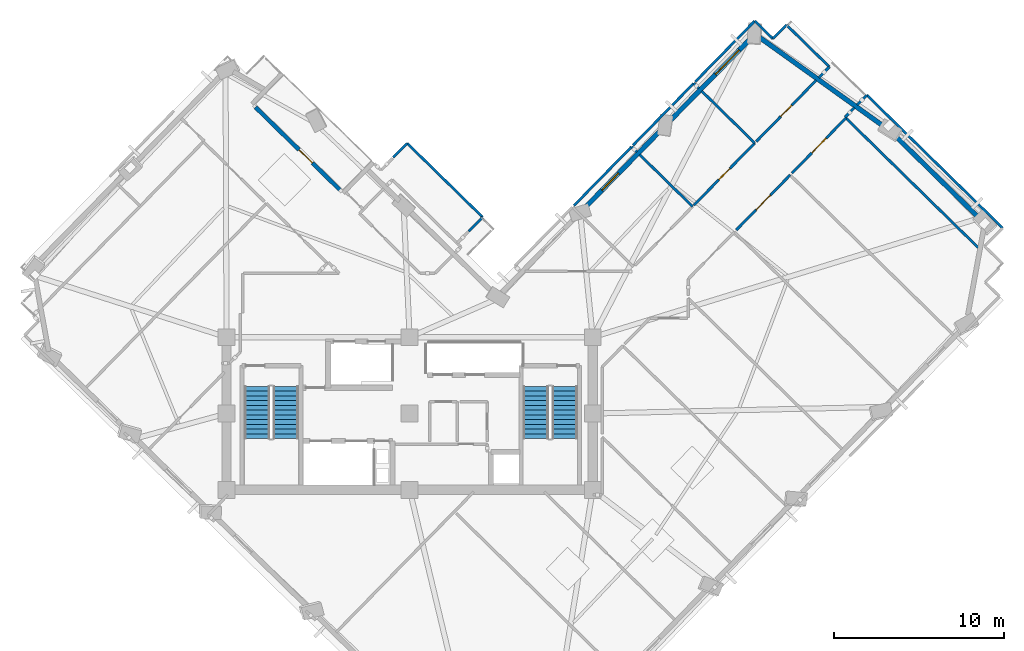
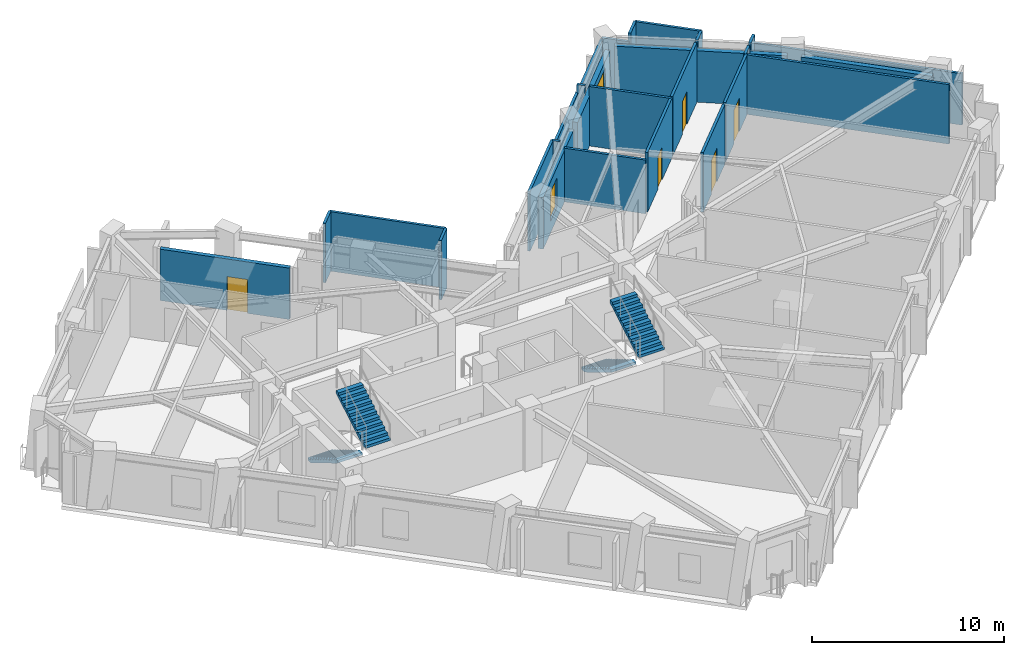
# One storey, part 7 of 12: 27 walls, 5 doors, 4 stair flights, 2 windows, 7 openings, 2 elements without a shape of their own.
"""IFC4 building model written with IfcOpenShell, lengths in metres."""

from ifc_helpers import new_model, si_unit, direction, frame, frame_2d, origin, place, context, subcontext, project, spatial, polyline, rectangle, outline, extrude, material, layer, layer_set, type_object, element, fill, aggregate, save


model = new_model("IFC4")

# Units and contexts
model_context = context("Model", 3, precision=1e-05, world=origin(), true_north=direction((0.0, 1.0)))
body_context = subcontext(model_context, "Body", "Model", "MODEL_VIEW")
ifc_project = project(units=[si_unit("LENGTHUNIT", "METRE"), si_unit("AREAUNIT", "SQUARE_METRE"), si_unit("VOLUMEUNIT", "CUBIC_METRE"), si_unit("PLANEANGLEUNIT", "RADIAN"), si_unit("MASSUNIT", "GRAM", prefix="KILO")], contexts=[model_context])

# Site, building, storey
site_placement = place(None, origin())
site = spatial("IfcSite", under=ifc_project, at=site_placement, CompositionType="ELEMENT")
building_placement = place(site_placement, origin())
building = spatial("IfcBuilding", under=site, at=building_placement, Name="Gaonmaruhae Medical Tower", CompositionType="ELEMENT")
storey_placement = place(building_placement, frame((0.0, 0.0, 219.199951171875)))
storey = spatial("IfcBuildingStorey", under=building, at=storey_placement, Name="L52", CompositionType="ELEMENT", Elevation=219.199951171875)

# Wall, opening, door
ifc_material_1 = material(Name="Precast concrete C45/55", Category="concrete")
ifc_layer_1 = layer(ifc_material_1, 0.239990234375)
ifc_layer_set_1 = layer_set([ifc_layer_1], Name="Precast concrete C45/55")
wall_type_1 = type_object("IfcWallType", Name="EW-240 Ribbon & Shelter Insulated Precast Wall", PredefinedType="SOLIDWALL", material=ifc_layer_set_1)
wall_1_placement = place(storey_placement, frame((15.70751953125, 30.368896484375, 0.0), z_axis=(0.0, 0.0, 1.0), x_axis=(0.71445197499, -0.699684482773, 0.0)))
wall_1 = element("IfcWall", 1, at=wall_1_placement, inside=storey, type_object=wall_type_1, Name="L52 Recessed Terrace Enclosure Wall TERB", PredefinedType="SOLIDWALL", context=body_context, shape_type="SweptSolid", body=[
    extrude(rectangle(XDim=6.960205078125, YDim=0.239990234375, at=frame_2d((3.47998046875, 0.0))), origin(), (0.0, 0.0, 1.0), 3.26513671875),
])
opening_1_placement = place(wall_1_placement, frame((3.59716796875, 0.0, 0.0)))
opening_1 = element("IfcOpeningElement", 2, at=opening_1_placement, cuts=wall_1, Name="Opening TD-01", PredefinedType="OPENING", context=body_context, shape_type="SweptSolid", body=[
    extrude(rectangle(XDim=1.10009765625, YDim=2.14990234375, at=frame_2d((0.550048828125, 1.074951171875))), frame((0.0, 0.1298828125, 0.0), z_axis=(0.0, -1.0, 0.0), x_axis=(1.0, 0.0, 0.0)), (0.0, 0.0, 1.0), 0.260009765625),
])
ifc_material_2 = material(Name="Anodised aluminium and toughened safety glass", Category="aluminium")
door_type_1 = type_object("IfcDoorType", Name="TD-01 Terrace & Sky Garden Glazed Door 1100x2150", OperationType="NOTDEFINED", PredefinedType="DOOR", material=ifc_material_2)
door_1_placement = place(opening_1_placement, origin())
door_1 = element("IfcDoor", 3, at=door_1_placement, inside=storey, type_object=door_type_1, Name="L52 Outdoor Terrace Access Door SLB-L52-TER", OperationType="SINGLE_SWING_RIGHT", OverallHeight=2.14990234375, OverallWidth=1.10009765625, PredefinedType="DOOR", context=body_context, shape_type="SweptSolid", body=[
    extrude(rectangle(XDim=1.10009765625, YDim=2.14990234375, at=frame_2d((0.550048828125, 1.074951171875))), frame((0.0, 0.02490234375, 0.0), z_axis=(0.0, -1.0, 0.0), x_axis=(1.0, 0.0, 0.0)), (0.0, 0.0, 1.0), 0.050048828125),
])
fill(opening_1, door_1)

# Walls
ifc_layer_2 = layer(ifc_material_1, 0.280029296875)
ifc_layer_set_2 = layer_set([ifc_layer_2], Name="Precast concrete C45/55")
wall_type_2 = type_object("IfcWallType", Name="EW-280 Upper Precast Masonry-Frame Facade Wall", PredefinedType="SOLIDWALL", material=ifc_layer_set_2)
wall_2_placement = place(storey_placement, frame((53.32177734375, 28.791015625, 0.0), z_axis=(0.0, 0.0, 1.0), x_axis=(0.714465321122, -0.699670854698, 0.0)))
element("IfcWall", 4, at=wall_2_placement, inside=storey, type_object=wall_type_2, Name="L52 Precast Masonry-Frame Wall E01-E02", PredefinedType="SOLIDWALL", context=body_context, shape_type="SweptSolid", body=[
    extrude(rectangle(XDim=7.04638671875, YDim=0.280029296875, at=frame_2d((3.523193359375, 0.0))), origin(), (0.0, 0.0, 1.0), 3.26513671875),
])
wall_3_placement = place(storey_placement, frame((45.38720703125, 34.520263671875, 0.0), z_axis=(0.0, 0.0, 1.0), x_axis=(0.812998955019, -0.582265145048, 0.0)))
element("IfcWall", 5, at=wall_3_placement, inside=storey, type_object=wall_type_2, Name="L52 Precast Masonry-Frame Wall E02-E03", PredefinedType="SOLIDWALL", context=body_context, shape_type="SweptSolid", body=[
    extrude(rectangle(XDim=9.0361328125, YDim=0.280029296875, at=frame_2d((4.51806640625, 0.0))), origin(), (0.0, 0.0, 1.0), 3.26513671875),
])

# Wall, opening, window
wall_4_placement = place(storey_placement, frame((40.1640625, 29.573486328125, 0.0), z_axis=(0.0, 0.0, 1.0), x_axis=(0.699668069964, 0.714468048181, 0.0)))
wall_4 = element("IfcWall", 6, at=wall_4_placement, inside=storey, type_object=wall_type_2, Name="L52 Precast Masonry-Frame Wall E03-EN01", PredefinedType="SOLIDWALL", context=body_context, shape_type="SweptSolid", body=[
    extrude(rectangle(XDim=6.77978515625, YDim=0.280029296875, at=frame_2d((3.389892578125, 0.0))), origin(), (0.0, 0.0, 1.0), 3.1650390625),
])
opening_2_placement = place(wall_4_placement, frame((3.82373046875, 0.0, 0.75)))
opening_2 = element("IfcOpeningElement", 7, at=opening_2_placement, cuts=wall_4, Name="Opening WN-02", PredefinedType="OPENING", context=body_context, shape_type="SweptSolid", body=[
    extrude(rectangle(XDim=2.0, YDim=1.949951171875, at=frame_2d((1.0, 0.97509765625))), frame((0.0, 0.14990234375, 0.0), z_axis=(0.0, -1.0, 0.0), x_axis=(1.0, 0.0, 0.0)), (0.0, 0.0, 1.0), 0.300048828125),
])
ifc_material_3 = material(Name="Anodised aluminium and Low-E double glazing", Category="aluminium")
window_type_1 = type_object("IfcWindowType", Name="WN-02 Double-Bed Ward Punched Window 2000x1950", PartitioningType="SINGLE_PANEL", PredefinedType="WINDOW", material=ifc_material_3)
window_1_placement = place(opening_2_placement, origin())
window_1 = element("IfcWindow", 8, at=window_1_placement, inside=storey, type_object=window_type_1, Name="L52 Modular Facade Window E03", OverallHeight=1.949951171875, OverallWidth=2.0, PartitioningType="SINGLE_PANEL", PredefinedType="WINDOW", context=body_context, shape_type="SweptSolid", body=[
    extrude(rectangle(XDim=2.0, YDim=1.949951171875, at=frame_2d((1.0, 0.97509765625))), frame((0.0, 0.030029296875, 0.0), z_axis=(0.0, -1.0, 0.0), x_axis=(1.0, 0.0, 0.0)), (0.0, 0.0, 1.0), 0.06005859375),
])
fill(opening_2, window_1)

wall_5_placement = place(storey_placement, frame((35.13037109375, 24.43310546875, 0.0), z_axis=(0.0, 0.0, 1.0), x_axis=(0.699640187186, 0.714495352311, 0.0)))
wall_5 = element("IfcWall", 9, at=wall_5_placement, inside=storey, type_object=wall_type_2, Name="L52 Precast Masonry-Frame Wall EN01-EN02", PredefinedType="SOLIDWALL", context=body_context, shape_type="SweptSolid", body=[
    extrude(rectangle(XDim=6.409423828125, YDim=0.280029296875, at=frame_2d((3.20458984375, 0.0))), origin(), (0.0, 0.0, 1.0), 3.26513671875),
])
opening_3_placement = place(wall_5_placement, frame((1.44677734375, 0.0, 0.75)))
opening_3 = element("IfcOpeningElement", 10, at=opening_3_placement, cuts=wall_5, Name="Opening WN-03", PredefinedType="OPENING", context=body_context, shape_type="SweptSolid", body=[
    extrude(rectangle(XDim=1.39990234375, YDim=1.85009765625, at=frame_2d((0.699951171875, 0.925048828125))), frame((0.0, 0.14990234375, 0.0), z_axis=(0.0, -1.0, 0.0), x_axis=(1.0, 0.0, 0.0)), (0.0, 0.0, 1.0), 0.300048828125),
])
window_type_2 = type_object("IfcWindowType", Name="WN-03 Isolation Ward Punched Window 1400x1850", PartitioningType="SINGLE_PANEL", PredefinedType="WINDOW", material=ifc_material_3)
window_2_placement = place(opening_3_placement, origin())
window_2 = element("IfcWindow", 11, at=window_2_placement, inside=storey, type_object=window_type_2, Name="L52 Modular Facade Window EN01", OverallHeight=1.85009765625, OverallWidth=1.39990234375, PartitioningType="SINGLE_PANEL", PredefinedType="WINDOW", context=body_context, shape_type="SweptSolid", body=[
    extrude(rectangle(XDim=1.39990234375, YDim=1.85009765625, at=frame_2d((0.699951171875, 0.925048828125))), frame((0.0, 0.030029296875, 0.0), z_axis=(0.0, -1.0, 0.0), x_axis=(1.0, 0.0, 0.0)), (0.0, 0.0, 1.0), 0.06005859375),
])
fill(opening_3, window_2)

# Wall, opening, door
ifc_material_4 = material(Name="Gypsum board partition", Category="gypsum")
ifc_layer_3 = layer(ifc_material_4, 0.14990234375)
ifc_layer_set_3 = layer_set([ifc_layer_3], Name="Gypsum board partition")
wall_type_3 = type_object("IfcWallType", Name="PW-150 Rated Clinical Corridor Partition", PredefinedType="PARTITIONING", material=ifc_layer_set_3)
wall_6_placement = place(storey_placement, frame((44.06591796875, 23.1240234375, 0.0), z_axis=(0.0, 0.0, 1.0), x_axis=(0.699592189313, 0.714542349097, 0.0)))
wall_6 = element("IfcWall", 12, at=wall_6_placement, inside=storey, type_object=wall_type_3, Name="L52 Interior Partition L52-SUP08-28", PredefinedType="PARTITIONING", context=body_context, shape_type="SweptSolid", body=[
    extrude(rectangle(XDim=4.539794921875, YDim=0.14990234375, at=frame_2d((2.27001953125, 0.0))), origin(), (0.0, 0.0, 1.0), 3.780029296875),
])
opening_4_placement = place(wall_6_placement, frame((1.669921875, 0.0, 0.0)))
opening_4 = element("IfcOpeningElement", 13, at=opening_4_placement, cuts=wall_6, Name="Opening CD-02", PredefinedType="OPENING", context=body_context, shape_type="SweptSolid", body=[
    extrude(rectangle(XDim=1.199951171875, YDim=2.14990234375, at=frame_2d((0.60009765625, 1.074951171875))), frame((0.0, 0.0849609375, 0.0), z_axis=(0.0, -1.0, 0.0), x_axis=(1.0, 0.0, 0.0)), (0.0, 0.0, 1.0), 0.169921875),
])
ifc_material_5 = material(Name="Antimicrobial laminate timber fire door", Category="wood")
door_type_2 = type_object("IfcDoorType", Name="CD-02 Clinical Treatment & Procedure Door 1200x2150", OperationType="NOTDEFINED", PredefinedType="DOOR", material=ifc_material_5)
door_2_placement = place(opening_4_placement, origin())
door_2 = element("IfcDoor", 14, at=door_2_placement, inside=storey, type_object=door_type_2, Name="L52 Clinical Biomedical Charting Office Door", OperationType="SINGLE_SWING_RIGHT", OverallHeight=2.14990234375, OverallWidth=1.199951171875, PredefinedType="DOOR", context=body_context, shape_type="SweptSolid", body=[
    extrude(rectangle(XDim=1.199951171875, YDim=2.14990234375, at=frame_2d((0.60009765625, 1.074951171875))), frame((0.0, 0.02490234375, 0.0), z_axis=(0.0, -1.0, 0.0), x_axis=(1.0, 0.0, 0.0)), (0.0, 0.0, 1.0), 0.050048828125),
])
fill(opening_4, door_2)

wall_7_placement = place(storey_placement, frame((47.35400390625, 26.48193359375, 0.0), z_axis=(0.0, 0.0, 1.0), x_axis=(0.699675115153, 0.714461148863, 0.0)))
wall_7 = element("IfcWall", 15, at=wall_7_placement, inside=storey, type_object=wall_type_3, Name="L52 Interior Partition L52-SUP09-31", PredefinedType="PARTITIONING", context=body_context, shape_type="SweptSolid", body=[
    extrude(rectangle(XDim=4.540771484375, YDim=0.14990234375, at=frame_2d((2.2705078125, 0.0))), origin(), (0.0, 0.0, 1.0), 3.780029296875),
])
opening_5_placement = place(wall_7_placement, frame((1.67041015625, 0.0, 0.0)))
opening_5 = element("IfcOpeningElement", 16, at=opening_5_placement, cuts=wall_7, Name="Opening CD-02", PredefinedType="OPENING", context=body_context, shape_type="SweptSolid", body=[
    extrude(rectangle(XDim=1.199951171875, YDim=2.14990234375, at=frame_2d((0.60009765625, 1.074951171875))), frame((0.0, 0.0849609375, 0.0), z_axis=(0.0, -1.0, 0.0), x_axis=(1.0, 0.0, 0.0)), (0.0, 0.0, 1.0), 0.169921875),
])
door_3_placement = place(opening_5_placement, origin())
door_3 = element("IfcDoor", 17, at=door_3_placement, inside=storey, type_object=door_type_2, Name="L52 Clinical Biomedical Charting Office Door", OperationType="SINGLE_SWING_RIGHT", OverallHeight=2.14990234375, OverallWidth=1.199951171875, PredefinedType="DOOR", context=body_context, shape_type="SweptSolid", body=[
    extrude(rectangle(XDim=1.199951171875, YDim=2.14990234375, at=frame_2d((0.60009765625, 1.074951171875))), frame((0.0, 0.02490234375, 0.0), z_axis=(0.0, -1.0, 0.0), x_axis=(1.0, 0.0, 0.0)), (0.0, 0.0, 1.0), 0.050048828125),
])
fill(opening_5, door_3)

# Walls
wall_8_placement = place(storey_placement, frame((50.531005859375, 29.72607421875, 0.0), z_axis=(0.0, 0.0, 1.0), x_axis=(0.714431068807, -0.699705829563, 0.0)))
element("IfcWall", 18, at=wall_8_placement, inside=storey, type_object=wall_type_3, Name="L52 Interior Partition L52-SUP09-32", PredefinedType="PARTITIONING", context=body_context, shape_type="SweptSolid", body=[
    extrude(rectangle(XDim=10.926025390625, YDim=0.14990234375, at=frame_2d((5.462890625, 0.0))), origin(), (0.0, 0.0, 1.0), 3.780029296875),
])
wall_9_placement = place(storey_placement, frame((34.489013671875, 24.56494140625, 0.0), z_axis=(0.0, 0.0, 1.0), x_axis=(0.699655259221, 0.71448059333, 0.0)))
element("IfcWall", 19, at=wall_9_placement, inside=storey, type_object=wall_type_3, Name="L52 Interior Partition L52-IE03-62", PredefinedType="PARTITIONING", context=body_context, shape_type="SweptSolid", body=[
    extrude(rectangle(XDim=4.85791015625, YDim=0.14990234375, at=frame_2d((2.428955078125, 0.0))), origin(), (0.0, 0.0, 1.0), 3.780029296875),
])
wall_10_placement = place(storey_placement, frame((37.887939453125, 28.035888671875, 0.0), z_axis=(0.0, 0.0, 1.0), x_axis=(0.714078333154, -0.700065806993, 0.0)))
element("IfcWall", 20, at=wall_10_placement, inside=storey, type_object=wall_type_3, Name="L52 Interior Partition L52-IE03-63", PredefinedType="PARTITIONING", context=body_context, shape_type="SweptSolid", body=[
    extrude(rectangle(XDim=0.435546875, YDim=0.14990234375, at=frame_2d((0.2177734375, 0.0))), origin(), (0.0, 0.0, 1.0), 3.780029296875),
])
wall_11_placement = place(storey_placement, frame((38.363037109375, 27.570068359375, 0.0), z_axis=(0.0, 0.0, 1.0), x_axis=(0.71448950504, -0.69964615856, 0.0)))
element("IfcWall", 21, at=wall_11_placement, inside=storey, type_object=wall_type_3, Name="L52 Interior Partition L52-IE03-64", PredefinedType="PARTITIONING", context=body_context, shape_type="SweptSolid", body=[
    extrude(rectangle(XDim=4.375, YDim=0.14990234375, at=frame_2d((2.1875, 0.0))), origin(), (0.0, 0.0, 1.0), 3.4150390625),
])

# Wall, opening, door
wall_12_placement = place(storey_placement, frame((45.155029296875, 28.2529296875, 0.0), z_axis=(0.0, 0.0, 1.0), x_axis=(-0.699652687423, -0.714483111754, 0.0)))
wall_12 = element("IfcWall", 22, at=wall_12_placement, inside=storey, type_object=wall_type_3, Name="L52 Interior Partition L52-IE04-65", PredefinedType="PARTITIONING", context=body_context, shape_type="SweptSolid", body=[
    extrude(rectangle(XDim=5.11962890625, YDim=0.14990234375, at=frame_2d((2.559814453125, 0.0))), origin(), (0.0, 0.0, 1.0), 3.780029296875),
])
opening_6_placement = place(wall_12_placement, frame((2.099853515625, 0.0, 0.0)))
opening_6 = element("IfcOpeningElement", 23, at=opening_6_placement, cuts=wall_12, Name="Opening UD-01", PredefinedType="OPENING", context=body_context, shape_type="SweptSolid", body=[
    extrude(rectangle(XDim=0.919921875, YDim=2.10009765625, at=frame_2d((0.4599609375, 1.050048828125))), frame((0.0, 0.0849609375, 0.0), z_axis=(0.0, -1.0, 0.0), x_axis=(1.0, 0.0, 0.0)), (0.0, 0.0, 1.0), 0.169921875),
])
ifc_material_6 = material(Name="Powder-coated steel utility door", Category="steel")
door_type_3 = type_object("IfcDoorType", Name="UD-01 Toilet, Utility & Housekeeping Door 920x2100", OperationType="NOTDEFINED", PredefinedType="DOOR", material=ifc_material_6)
door_4_placement = place(opening_6_placement, origin())
door_4 = element("IfcDoor", 24, at=door_4_placement, inside=storey, type_object=door_type_3, Name="L52 Accessible Public Toilet Door", OperationType="SINGLE_SWING_RIGHT", OverallHeight=2.10009765625, OverallWidth=0.919921875, PredefinedType="DOOR", context=body_context, shape_type="SweptSolid", body=[
    extrude(rectangle(XDim=0.919921875, YDim=2.10009765625, at=frame_2d((0.4599609375, 1.050048828125))), frame((0.0, 0.02490234375, 0.0), z_axis=(0.0, -1.0, 0.0), x_axis=(1.0, 0.0, 0.0)), (0.0, 0.0, 1.0), 0.050048828125),
])
fill(opening_6, door_4)

# Walls
wall_13_placement = place(storey_placement, frame((37.971923828125, 28.12109375, 0.0), z_axis=(0.0, 0.0, 1.0), x_axis=(0.699652687423, 0.714483111754, 0.0)))
element("IfcWall", 25, at=wall_13_placement, inside=storey, type_object=wall_type_3, Name="L52 Interior Partition L52-IE04-66", PredefinedType="PARTITIONING", context=body_context, shape_type="SweptSolid", body=[
    extrude(rectangle(XDim=5.11962890625, YDim=0.14990234375, at=frame_2d((2.559814453125, 0.0))), origin(), (0.0, 0.0, 1.0), 3.26513671875),
])
wall_14_placement = place(storey_placement, frame((41.553955078125, 31.779052734375, 0.0), z_axis=(0.0, 0.0, 1.0), x_axis=(0.71519995758, -0.698919895751, 0.0)))
element("IfcWall", 26, at=wall_14_placement, inside=storey, type_object=wall_type_3, Name="L52 Interior Partition L52-IE04-67", PredefinedType="PARTITIONING", context=body_context, shape_type="SweptSolid", body=[
    extrude(rectangle(XDim=0.434814453125, YDim=0.14990234375, at=frame_2d((0.21728515625, 0.0))), origin(), (0.0, 0.0, 1.0), 3.780029296875),
])
wall_15_placement = place(storey_placement, frame((42.029052734375, 31.31396484375, 0.0), z_axis=(0.0, 0.0, 1.0), x_axis=(0.71448950504, -0.69964615856, 0.0)))
element("IfcWall", 27, at=wall_15_placement, inside=storey, type_object=wall_type_3, Name="L52 Interior Partition L52-IE04-68", PredefinedType="PARTITIONING", context=body_context, shape_type="SweptSolid", body=[
    extrude(rectangle(XDim=4.375, YDim=0.14990234375, at=frame_2d((2.1875, 0.0))), origin(), (0.0, 0.0, 1.0), 3.780029296875),
])
wall_16_placement = place(storey_placement, frame((46.22802734375, 34.407958984375, 0.0), z_axis=(0.0, 0.0, 1.0), x_axis=(0.700002877406, 0.714140022421, 0.0)))
element("IfcWall", 28, at=wall_16_placement, inside=storey, type_object=wall_type_3, Name="L52 Interior Partition L52-IE05-69", PredefinedType="PARTITIONING", context=body_context, shape_type="SweptSolid", body=[
    extrude(rectangle(XDim=1.139892578125, YDim=0.14990234375, at=frame_2d((0.56982421875, 0.0))), origin(), (0.0, 0.0, 1.0), 3.780029296875),
])
wall_17_placement = place(storey_placement, frame((47.02587890625, 35.221923828125, 0.0), z_axis=(0.0, 0.0, 1.0), x_axis=(0.714585854824, -0.699547751112, 0.0)))
element("IfcWall", 29, at=wall_17_placement, inside=storey, type_object=wall_type_3, Name="L52 Interior Partition L52-IE05-70", PredefinedType="PARTITIONING", context=body_context, shape_type="SweptSolid", body=[
    extrude(rectangle(XDim=3.539306640625, YDim=0.14990234375, at=frame_2d((1.76953125, 0.0))), origin(), (0.0, 0.0, 1.0), 3.780029296875),
])
wall_18_placement = place(storey_placement, frame((49.554931640625, 32.74609375, 0.0), z_axis=(0.0, 0.0, 1.0), x_axis=(-0.699568668638, -0.714565376897, 0.0)))
element("IfcWall", 30, at=wall_18_placement, inside=storey, type_object=wall_type_3, Name="L52 Interior Partition L52-IE05-71", PredefinedType="PARTITIONING", context=body_context, shape_type="SweptSolid", body=[
    extrude(rectangle(XDim=0.879150390625, YDim=0.14990234375, at=frame_2d((0.439453125, 0.0))), origin(), (0.0, 0.0, 1.0), 3.780029296875),
])

# Wall, opening, door
wall_19_placement = place(storey_placement, frame((48.777099609375, 31.950927734375, 0.0), z_axis=(0.0, 0.0, 1.0), x_axis=(-0.699777823275, -0.714360551859, 0.0)))
wall_19 = element("IfcWall", 31, at=wall_19_placement, inside=storey, type_object=wall_type_3, Name="L52 Interior Partition L52-IE05-72", PredefinedType="PARTITIONING", context=body_context, shape_type="SweptSolid", body=[
    extrude(rectangle(XDim=5.055908203125, YDim=0.14990234375, at=frame_2d((2.52783203125, 0.0))), origin(), (0.0, 0.0, 1.0), 3.780029296875),
])
opening_7_placement = place(wall_19_placement, frame((2.068115234375, 0.0, 0.0)))
opening_7 = element("IfcOpeningElement", 32, at=opening_7_placement, cuts=wall_19, Name="Opening UD-01", PredefinedType="OPENING", context=body_context, shape_type="SweptSolid", body=[
    extrude(rectangle(XDim=0.919921875, YDim=2.10009765625, at=frame_2d((0.4599609375, 1.050048828125))), frame((0.0, 0.0849609375, 0.0), z_axis=(0.0, -1.0, 0.0), x_axis=(1.0, 0.0, 0.0)), (0.0, 0.0, 1.0), 0.169921875),
])
door_5_placement = place(opening_7_placement, origin())
door_5 = element("IfcDoor", 33, at=door_5_placement, inside=storey, type_object=door_type_3, Name="L52 Ward Housekeeping and Linen Store Door", OperationType="SINGLE_SWING_RIGHT", OverallHeight=2.10009765625, OverallWidth=0.919921875, PredefinedType="DOOR", context=body_context, shape_type="SweptSolid", body=[
    extrude(rectangle(XDim=0.919921875, YDim=2.10009765625, at=frame_2d((0.4599609375, 1.050048828125))), frame((0.0, 0.02490234375, 0.0), z_axis=(0.0, -1.0, 0.0), x_axis=(1.0, 0.0, 0.0)), (0.0, 0.0, 1.0), 0.050048828125),
])
fill(opening_7, door_5)

# Walls
wall_20_placement = place(storey_placement, frame((41.637939453125, 31.864990234375, 0.0), z_axis=(0.0, 0.0, 1.0), x_axis=(0.699712068042, 0.714424958856, 0.0)))
element("IfcWall", 34, at=wall_20_placement, inside=storey, type_object=wall_type_3, Name="L52 Interior Partition L52-IE05-73", PredefinedType="PARTITIONING", context=body_context, shape_type="SweptSolid", body=[
    extrude(rectangle(XDim=5.02783203125, YDim=0.14990234375, at=frame_2d((2.513916015625, 0.0))), origin(), (0.0, 0.0, 1.0), 3.1650390625),
])
wall_21_placement = place(storey_placement, frame((45.156005859375, 35.45703125, 0.0), z_axis=(0.0, 0.0, 1.0), x_axis=(0.714715506178, -0.6994152881, 0.0)))
element("IfcWall", 35, at=wall_21_placement, inside=storey, type_object=wall_type_3, Name="L52 Interior Partition L52-IE05-74", PredefinedType="PARTITIONING", context=body_context, shape_type="SweptSolid", body=[
    extrude(rectangle(XDim=1.5, YDim=0.14990234375, at=frame_2d((0.75, 0.0))), origin(), (0.0, 0.0, 1.0), 3.26513671875),
])
wall_22_placement = place(storey_placement, frame((23.8349609375, 27.406005859375, 0.0), z_axis=(0.0, 0.0, 1.0), x_axis=(0.699873247093, 0.714267063501, 0.0)))
element("IfcWall", 36, at=wall_22_placement, inside=storey, type_object=wall_type_3, Name="L52 Interior Partition L52-RM04-97", PredefinedType="PARTITIONING", context=body_context, shape_type="SweptSolid", body=[
    extrude(rectangle(XDim=1.17041015625, YDim=0.14990234375, at=frame_2d((0.585205078125, 0.0))), origin(), (0.0, 0.0, 1.0), 3.780029296875),
])
wall_23_placement = place(storey_placement, frame((24.654052734375, 28.241943359375, 0.0), z_axis=(0.0, 0.0, 1.0), x_axis=(0.714455326906, -0.699681060095, 0.0)))
element("IfcWall", 37, at=wall_23_placement, inside=storey, type_object=wall_type_3, Name="L52 Interior Partition L52-RM04-98", PredefinedType="PARTITIONING", context=body_context, shape_type="SweptSolid", body=[
    extrude(rectangle(XDim=6.229736328125, YDim=0.14990234375, at=frame_2d((3.11474609375, 0.0))), origin(), (0.0, 0.0, 1.0), 3.780029296875),
])
wall_24_placement = place(storey_placement, frame((29.10498046875, 23.883056640625, 0.0), z_axis=(0.0, 0.0, 1.0), x_axis=(-0.699873247093, -0.714267063501, 0.0)))
element("IfcWall", 38, at=wall_24_placement, inside=storey, type_object=wall_type_3, Name="L52 Interior Partition L52-RM04-99", PredefinedType="PARTITIONING", context=body_context, shape_type="SweptSolid", body=[
    extrude(rectangle(XDim=1.17041015625, YDim=0.14990234375, at=frame_2d((0.585205078125, 0.0))), origin(), (0.0, 0.0, 1.0), 3.780029296875),
])
wall_25_placement = place(storey_placement, frame((50.48095703125, 29.77490234375, 0.0), z_axis=(0.0, 0.0, 1.0), x_axis=(0.699459673808, 0.714672067956, 0.0)))
element("IfcWall", 39, at=wall_25_placement, inside=storey, type_object=wall_type_3, Name="L52 Interior Partition L52-RM06-102", PredefinedType="PARTITIONING", context=body_context, shape_type="SweptSolid", body=[
    extrude(rectangle(XDim=0.786376953125, YDim=0.14990234375, at=frame_2d((0.39306640625, 0.0))), origin(), (0.0, 0.0, 1.0), 3.780029296875),
])
wall_26_placement = place(storey_placement, frame((51.194091796875, 30.5029296875, 0.0), z_axis=(0.0, 0.0, 1.0), x_axis=(0.698974722782, 0.715146374466, 0.0)))
element("IfcWall", 40, at=wall_26_placement, inside=storey, type_object=wall_type_3, Name="L52 Interior Partition L52-RM06-103", PredefinedType="PARTITIONING", context=body_context, shape_type="SweptSolid", body=[
    extrude(rectangle(XDim=0.815185546875, YDim=0.14990234375, at=frame_2d((0.40771484375, 0.0))), origin(), (0.0, 0.0, 1.0), 3.780029296875),
])
wall_27_placement = place(storey_placement, frame((51.763916015625, 31.0859375, 0.0), z_axis=(0.0, 0.0, 1.0), x_axis=(0.714519943853, -0.69961507262, 0.0)))
element("IfcWall", 41, at=wall_27_placement, inside=storey, type_object=wall_type_3, Name="L52 Interior Partition L52-RM06-104", PredefinedType="PARTITIONING", context=body_context, shape_type="SweptSolid", body=[
    extrude(rectangle(XDim=11.22021484375, YDim=0.14990234375, at=frame_2d((5.610107421875, 0.0))), origin(), (0.0, 0.0, 1.0), 3.26513671875),
])

# Stair, stair flights
ifc_material_7 = material(Name="Concrete C40/50", Category="concrete")
stair_type = type_object("IfcStairType", Name="ST-T1 Primary Core Escape Dogleg Stair", PredefinedType="TWO_QUARTER_TURN_STAIR", material=ifc_material_7)
stair_1_placement = place(storey_placement, origin())
stair_1 = element("IfcStair", 42, at=stair_1_placement, inside=storey, type_object=stair_type, Name="L52 Protected Escape Stair ST-01", PredefinedType="TWO_QUARTER_TURN_STAIR")
stair_flight_type = type_object("IfcStairFlightType", Name="SF-T1 Primary Core Precast Stair Flight", PredefinedType="STRAIGHT", material=ifc_material_7)
stair_flight_1_placement = place(storey_placement, frame((15.800048828125, 13.89990234375, 0.0), z_axis=(0.0, 0.0, 1.0), x_axis=(0.0, -1.0, 0.0)))
stair_flight_1 = element("IfcStairFlight", 43, at=stair_flight_1_placement, type_object=stair_flight_type, Name="ST-01 flight 1", NumberOfRisers=12, NumberOfTreads=11, PredefinedType="STRAIGHT", RiserHeight=0.166666667, TreadLength=0.28, context=body_context, shape_type="SweptSolid", body=[
    extrude(outline(polyline([(0.0, 0.0), (0.0, 0.166748046875), (0.280029296875, 0.166748046875), (0.280029296875, 0.333251953125), (0.56005859375, 0.333251953125), (0.56005859375, 0.5), (0.840087890625, 0.5), (0.840087890625, 0.666748046875), (1.1201171875, 0.666748046875), (1.1201171875, 0.833251953125), (1.39990234375, 0.833251953125), (1.39990234375, 1.0), (1.679931640625, 1.0), (1.679931640625, 1.166748046875), (1.9599609375, 1.166748046875), (1.9599609375, 1.333251953125), (2.239990234375, 1.333251953125), (2.239990234375, 1.5), (2.52001953125, 1.5), (2.52001953125, 1.666748046875), (2.800048828125, 1.666748046875), (2.800048828125, 1.833251953125), (3.080078125, 1.833251953125), (3.080078125, 2.0), (3.080078125, 1.658935546875), (0.29296875, 0.0), (0.0, 0.0)])), frame((0.0, 0.75, 0.0), z_axis=(0.0, -1.0, 0.0), x_axis=(1.0, 0.0, 0.0)), (0.0, 0.0, 1.0), 1.5),
])
stair_flight_2_placement = place(storey_placement, frame((17.5, 10.820068359375, 2.0), z_axis=(0.0, 0.0, 1.0), x_axis=(0.0, 1.0, 0.0)))
stair_flight_2 = element("IfcStairFlight", 44, at=stair_flight_2_placement, type_object=stair_flight_type, Name="ST-01 flight 2", NumberOfRisers=12, NumberOfTreads=11, PredefinedType="STRAIGHT", RiserHeight=0.166666667, TreadLength=0.28, context=body_context, shape_type="SweptSolid", body=[
    extrude(outline(polyline([(0.0, 0.0), (0.0, 0.166748046875), (0.280029296875, 0.166748046875), (0.280029296875, 0.333251953125), (0.56005859375, 0.333251953125), (0.56005859375, 0.5), (0.840087890625, 0.5), (0.840087890625, 0.666748046875), (1.1201171875, 0.666748046875), (1.1201171875, 0.833251953125), (1.39990234375, 0.833251953125), (1.39990234375, 1.0), (1.679931640625, 1.0), (1.679931640625, 1.166748046875), (1.9599609375, 1.166748046875), (1.9599609375, 1.333251953125), (2.239990234375, 1.333251953125), (2.239990234375, 1.5), (2.52001953125, 1.5), (2.52001953125, 1.666748046875), (2.800048828125, 1.666748046875), (2.800048828125, 1.833251953125), (3.080078125, 1.833251953125), (3.080078125, 2.0), (3.080078125, 1.658935546875), (0.29296875, 0.0), (0.0, 0.0)])), frame((0.0, 0.75, 0.0), z_axis=(0.0, -1.0, 0.0), x_axis=(1.0, 0.0, 0.0)), (0.0, 0.0, 1.0), 1.5),
])
aggregate(stair_1, [stair_flight_1, stair_flight_2])

stair_2_placement = place(storey_placement, origin())
stair_2 = element("IfcStair", 45, at=stair_2_placement, inside=storey, type_object=stair_type, Name="L52 Protected Escape Stair ST-02", PredefinedType="TWO_QUARTER_TURN_STAIR")
stair_flight_3_placement = place(storey_placement, frame((32.25, 13.89990234375, 0.0), z_axis=(0.0, 0.0, 1.0), x_axis=(0.0, -1.0, 0.0)))
stair_flight_3 = element("IfcStairFlight", 46, at=stair_flight_3_placement, type_object=stair_flight_type, Name="ST-02 flight 1", NumberOfRisers=12, NumberOfTreads=11, PredefinedType="STRAIGHT", RiserHeight=0.166666667, TreadLength=0.28, context=body_context, shape_type="SweptSolid", body=[
    extrude(outline(polyline([(0.0, 0.0), (0.0, 0.166748046875), (0.280029296875, 0.166748046875), (0.280029296875, 0.333251953125), (0.56005859375, 0.333251953125), (0.56005859375, 0.5), (0.840087890625, 0.5), (0.840087890625, 0.666748046875), (1.1201171875, 0.666748046875), (1.1201171875, 0.833251953125), (1.39990234375, 0.833251953125), (1.39990234375, 1.0), (1.679931640625, 1.0), (1.679931640625, 1.166748046875), (1.9599609375, 1.166748046875), (1.9599609375, 1.333251953125), (2.239990234375, 1.333251953125), (2.239990234375, 1.5), (2.52001953125, 1.5), (2.52001953125, 1.666748046875), (2.800048828125, 1.666748046875), (2.800048828125, 1.833251953125), (3.080078125, 1.833251953125), (3.080078125, 2.0), (3.080078125, 1.658935546875), (0.29296875, 0.0), (0.0, 0.0)])), frame((0.0, 0.75, 0.0), z_axis=(0.0, -1.0, 0.0), x_axis=(1.0, 0.0, 0.0)), (0.0, 0.0, 1.0), 1.5),
])
stair_flight_4_placement = place(storey_placement, frame((33.949951171875, 10.820068359375, 2.0), z_axis=(0.0, 0.0, 1.0), x_axis=(0.0, 1.0, 0.0)))
stair_flight_4 = element("IfcStairFlight", 47, at=stair_flight_4_placement, type_object=stair_flight_type, Name="ST-02 flight 2", NumberOfRisers=12, NumberOfTreads=11, PredefinedType="STRAIGHT", RiserHeight=0.166666667, TreadLength=0.28, context=body_context, shape_type="SweptSolid", body=[
    extrude(outline(polyline([(0.0, 0.0), (0.0, 0.166748046875), (0.280029296875, 0.166748046875), (0.280029296875, 0.333251953125), (0.56005859375, 0.333251953125), (0.56005859375, 0.5), (0.840087890625, 0.5), (0.840087890625, 0.666748046875), (1.1201171875, 0.666748046875), (1.1201171875, 0.833251953125), (1.39990234375, 0.833251953125), (1.39990234375, 1.0), (1.679931640625, 1.0), (1.679931640625, 1.166748046875), (1.9599609375, 1.166748046875), (1.9599609375, 1.333251953125), (2.239990234375, 1.333251953125), (2.239990234375, 1.5), (2.52001953125, 1.5), (2.52001953125, 1.666748046875), (2.800048828125, 1.666748046875), (2.800048828125, 1.833251953125), (3.080078125, 1.833251953125), (3.080078125, 2.0), (3.080078125, 1.658935546875), (0.29296875, 0.0), (0.0, 0.0)])), frame((0.0, 0.75, 0.0), z_axis=(0.0, -1.0, 0.0), x_axis=(1.0, 0.0, 0.0)), (0.0, 0.0, 1.0), 1.5),
])
aggregate(stair_2, [stair_flight_3, stair_flight_4])

save(model, "model.ifc")
